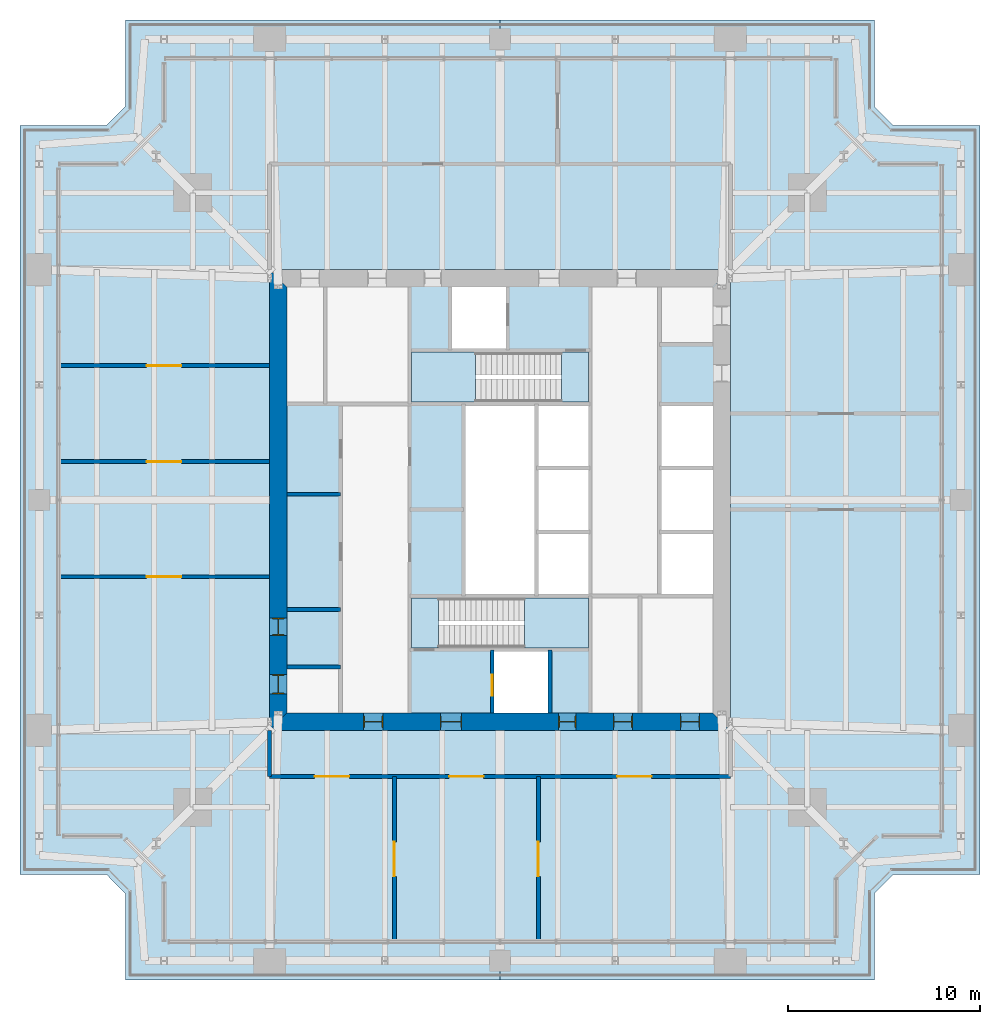
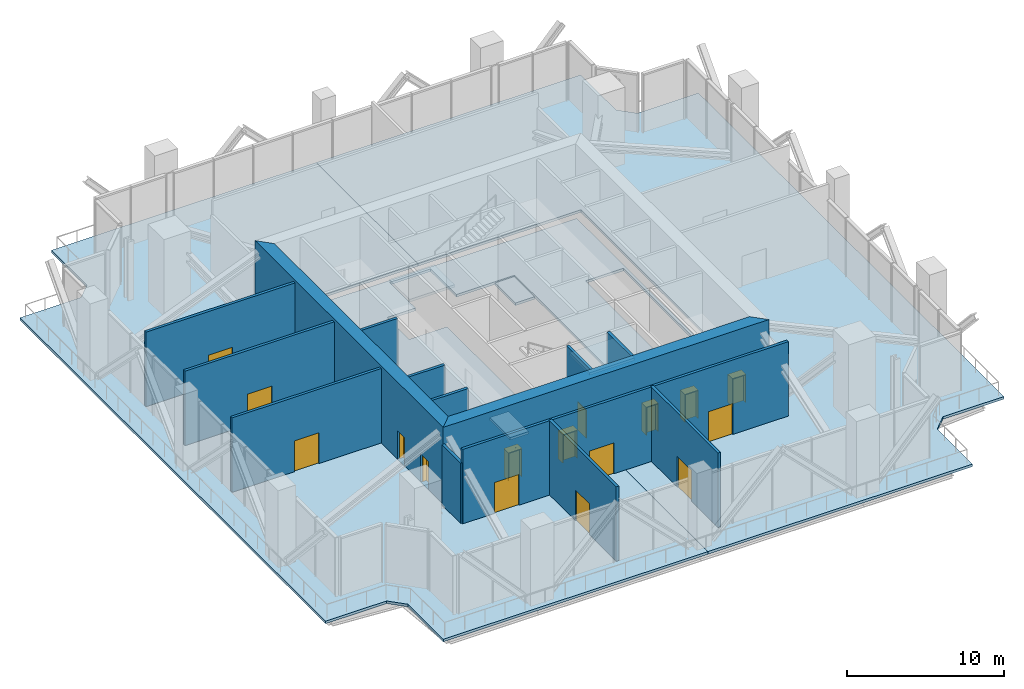
# One storey, part 9 of 14: 16 doors, 14 walls, 7 slabs, 16 openings, 2 elements without a shape of their own.
"""IFC4 building model written with IfcOpenShell, lengths in metres."""

from ifc_helpers import new_model, si_unit, direction, frame, frame_2d, origin, place, context, subcontext, project, spatial, polyline, rectangle, outline, extrude, material, layer, layer_set, type_object, element, fill, aggregate, save


model = new_model("IFC4")

# Units and contexts
model_context = context("Model", 3, precision=1e-05, world=origin(), true_north=direction((0.0, 1.0)))
body_context = subcontext(model_context, "Body", "Model", "MODEL_VIEW")
ifc_project = project(units=[si_unit("LENGTHUNIT", "METRE"), si_unit("AREAUNIT", "SQUARE_METRE"), si_unit("VOLUMEUNIT", "CUBIC_METRE"), si_unit("PLANEANGLEUNIT", "RADIAN"), si_unit("MASSUNIT", "GRAM", prefix="KILO")], contexts=[model_context])

# Site, building, storey
site_placement = place(None, origin())
site = spatial("IfcSite", under=ifc_project, at=site_placement, CompositionType="ELEMENT")
building_placement = place(site_placement, origin())
building = spatial("IfcBuilding", under=site, at=building_placement, Name="Fenwick Lantern Interchange", CompositionType="ELEMENT")
storey_placement = place(building_placement, frame((0.0, 0.0, 233.800048828125)))
storey = spatial("IfcBuildingStorey", under=building, at=storey_placement, Name="L55", CompositionType="ELEMENT", Elevation=233.800048828125)

# Slabs
ifc_material_1 = material(Name="Concrete f'c 35 MPa", Category="concrete")
ifc_layer_1 = layer(ifc_material_1, 0.199951171875)
ifc_layer_set_1 = layer_set([ifc_layer_1], Name="CORE FLOOR SLAB 200")
slab_type_1 = type_object("IfcSlabType", Name="CORE FLOOR SLAB 200", PredefinedType="FLOOR", material=ifc_layer_set_1)
slab_1_placement = place(storey_placement, frame((0.0, 0.0, -0.199951171875)))
element("IfcSlab", 1, at=slab_1_placement, inside=storey, type_object=slab_type_1, Name="L55/SLAB/CORE", PredefinedType="FLOOR", context=body_context, shape_type="SweptSolid", body=[
    extrude(outline(polyline([(13.699951171875, 36.300048828125), (36.300048828125, 36.300048828125), (36.300048828125, 13.699951171875), (13.699951171875, 13.699951171875), (13.699951171875, 36.300048828125)]), holes=[polyline([(24.60009765625, 13.89990234375), (27.60009765625, 13.89990234375), (27.60009765625, 17.199951171875), (29.699951171875, 17.199951171875), (29.699951171875, 20.0), (29.699951171875, 23.333251953125), (29.699951171875, 26.666748046875), (29.699951171875, 30.0), (29.699951171875, 32.800048828125), (25.39990234375, 32.800048828125), (25.39990234375, 36.10009765625), (22.39990234375, 36.10009765625), (22.39990234375, 32.800048828125), (20.300048828125, 32.800048828125), (20.300048828125, 30.0), (23.10009765625, 30.0), (23.10009765625, 20.0), (20.300048828125, 20.0), (20.300048828125, 17.199951171875), (24.60009765625, 17.199951171875), (24.60009765625, 13.89990234375)]), polyline([(33.300048828125, 23.333251953125), (33.300048828125, 20.0), (36.10009765625, 20.0), (36.10009765625, 23.333251953125), (36.10009765625, 26.666748046875), (36.10009765625, 30.0), (33.300048828125, 30.0), (33.300048828125, 26.666748046875), (33.300048828125, 23.333251953125)])]), origin(), (0.0, 0.0, 1.0), 0.199951171875),
])
ifc_material_2 = material(Name="Concrete f'c 35 MPa", Category="concrete")
ifc_layer_2 = layer(ifc_material_2, 0.199951171875)
ifc_layer_set_2 = layer_set([ifc_layer_2], Name="Concrete f'c 35 MPa")
slab_type_2 = type_object("IfcSlabType", Name="FLOOR SLAB 200", PredefinedType="FLOOR", material=ifc_layer_set_2)
slab_2_placement = place(storey_placement, frame((0.0, 0.0, -0.199951171875)))
element("IfcSlab", 2, at=slab_2_placement, inside=storey, type_object=slab_type_2, Name="L55/SLAB/FW", PredefinedType="FLOOR", context=body_context, shape_type="SweptSolid", body=[
    extrude(outline(polyline([(5.5, 0.0), (5.5, 4.5), (4.5, 5.5), (0.0, 5.5), (0.0, 44.5), (4.5, 44.5), (5.5, 45.5), (5.5, 50.0), (25.0, 50.0), (25.0, 37.0), (13.0, 37.0), (13.0, 13.0), (25.0, 13.0), (25.0, 0.0), (5.5, 0.0)])), origin(), (0.0, 0.0, 1.0), 0.199951171875),
])
slab_3_placement = place(storey_placement, frame((0.0, 0.0, -0.199951171875)))
element("IfcSlab", 3, at=slab_3_placement, inside=storey, type_object=slab_type_2, Name="L55/SLAB/FE", PredefinedType="FLOOR", context=body_context, shape_type="SweptSolid", body=[
    extrude(outline(polyline([(44.5, 50.0), (44.5, 45.5), (45.5, 44.5), (50.0, 44.5), (50.0, 5.5), (45.5, 5.5), (44.5, 4.5), (44.5, 0.0), (25.0, 0.0), (25.0, 13.0), (37.0, 13.0), (37.0, 37.0), (25.0, 37.0), (25.0, 50.0), (44.5, 50.0)])), origin(), (0.0, 0.0, 1.0), 0.199951171875),
])

# Stair, slabs
ifc_material_3 = material(Name="Precast concrete f'c 35 MPa", Category="concrete")
stair_type = type_object("IfcStairType", Name="EXIT STAIR 1200", PredefinedType="HALF_TURN_STAIR", material=ifc_material_3)
stair_1_placement = place(storey_placement, origin())
stair_1 = element("IfcStair", 4, at=stair_1_placement, inside=storey, type_object=stair_type, Name="Exit stair ST1", PredefinedType="HALF_TURN_STAIR")
ifc_layer_3 = layer(ifc_material_1, 0.199951171875)
ifc_layer_set_3 = layer_set([ifc_layer_3], Name="STAIR LANDING 200")
slab_type_3 = type_object("IfcSlabType", Name="STAIR LANDING 200", PredefinedType="LANDING", material=ifc_layer_set_3)
slab_4_placement = place(storey_placement, frame((0.0, 0.0, 2.800048828125)))
slab_4 = element("IfcSlab", 5, at=slab_4_placement, type_object=slab_type_3, Name="ST1 landing 1", PredefinedType="LANDING", context=body_context, shape_type="SweptSolid", body=[
    extrude(outline(polyline([(26.280029296875, 17.300048828125), (29.60009765625, 17.300048828125), (29.60009765625, 19.89990234375), (26.280029296875, 19.89990234375), (26.280029296875, 17.300048828125)])), origin(), (0.0, 0.0, 1.0), 0.199951171875),
])
slab_5_placement = place(storey_placement, frame((0.0, 0.0, -0.199951171875)))
slab_5 = element("IfcSlab", 6, at=slab_5_placement, type_object=slab_type_3, Name="ST1 landing 2", PredefinedType="LANDING", context=body_context, shape_type="SweptSolid", body=[
    extrude(outline(polyline([(20.39990234375, 17.300048828125), (21.800048828125, 17.300048828125), (21.800048828125, 19.89990234375), (20.39990234375, 19.89990234375), (20.39990234375, 17.300048828125)])), origin(), (0.0, 0.0, 1.0), 0.199951171875),
])
aggregate(stair_1, [slab_4, slab_5])

stair_2_placement = place(storey_placement, origin())
stair_2 = element("IfcStair", 7, at=stair_2_placement, inside=storey, type_object=stair_type, Name="Exit stair ST2", PredefinedType="HALF_TURN_STAIR")
slab_6_placement = place(storey_placement, frame((0.0, 0.0, 2.800048828125)))
slab_6 = element("IfcSlab", 8, at=slab_6_placement, type_object=slab_type_3, Name="ST2 landing 1", PredefinedType="LANDING", context=body_context, shape_type="SweptSolid", body=[
    extrude(outline(polyline([(23.719970703125, 32.699951171875), (20.39990234375, 32.699951171875), (20.39990234375, 30.10009765625), (23.719970703125, 30.10009765625), (23.719970703125, 32.699951171875)])), origin(), (0.0, 0.0, 1.0), 0.199951171875),
])
slab_7_placement = place(storey_placement, frame((0.0, 0.0, -0.199951171875)))
slab_7 = element("IfcSlab", 9, at=slab_7_placement, type_object=slab_type_3, Name="ST2 landing 2", PredefinedType="LANDING", context=body_context, shape_type="SweptSolid", body=[
    extrude(outline(polyline([(29.60009765625, 32.699951171875), (28.199951171875, 32.699951171875), (28.199951171875, 30.10009765625), (29.60009765625, 30.10009765625), (29.60009765625, 32.699951171875)])), origin(), (0.0, 0.0, 1.0), 0.199951171875),
])
aggregate(stair_2, [slab_6, slab_7])

# Wall, opening, door
ifc_material_4 = material(Name="Concrete masonry ASTM C90 Grade N", Category="masonry")
ifc_layer_4 = layer(ifc_material_4, 0.199951171875)
ifc_layer_set_4 = layer_set([ifc_layer_4], Name="Concrete masonry ASTM C90 Grade N")
wall_type_1 = type_object("IfcWallType", Name="CORE PARTITION 200", PredefinedType="PARTITIONING", material=ifc_layer_set_4)
wall_1_placement = place(storey_placement, frame((24.60009765625, 13.89990234375, 0.0), z_axis=(0.0, 0.0, 1.0), x_axis=(0.0, 1.0, 0.0)))
wall_1 = element("IfcWall", 10, at=wall_1_placement, inside=storey, type_object=wall_type_1, Name="L55/W/CORES/h1", PredefinedType="PARTITIONING", context=body_context, shape_type="SweptSolid", body=[
    extrude(rectangle(XDim=3.300048828125, YDim=0.199951171875, at=frame_2d((1.64990234375, 0.0))), origin(), (0.0, 0.0, 1.0), 5.800048828125),
])
opening_1_placement = place(wall_1_placement, frame((0.89990234375, 0.0, 0.0)))
opening_1 = element("IfcOpeningElement", 11, at=opening_1_placement, cuts=wall_1, Name="Opening LD-FL1", PredefinedType="OPENING", context=body_context, shape_type="SweptSolid", body=[
    extrude(rectangle(XDim=1.10009765625, YDim=2.199951171875, at=frame_2d((0.550048828125, 1.10009765625))), frame((0.0, 0.10986328125, 0.0), z_axis=(0.0, -1.0, 0.0), x_axis=(1.0, 0.0, 0.0)), (0.0, 0.0, 1.0), 0.219970703125),
])
ifc_material_5 = material(Name="Steel door and frame", Category="steel")
door_type_1 = type_object("IfcDoorType", Name="LIFT LANDING DOOR 1100 X 2200", OperationType="DOUBLE_DOOR_SLIDING", PredefinedType="DOOR", material=ifc_material_5)
door_1_placement = place(opening_1_placement, origin())
door_1 = element("IfcDoor", 12, at=door_1_placement, inside=storey, type_object=door_type_1, Name="Lift landing door FL1", OperationType="DOUBLE_DOOR_SLIDING", OverallHeight=2.199951171875, OverallWidth=1.10009765625, PredefinedType="DOOR", context=body_context, shape_type="SweptSolid", body=[
    extrude(rectangle(XDim=1.10009765625, YDim=2.199951171875, at=frame_2d((0.550048828125, 1.10009765625))), frame((0.0, 0.02490234375, 0.0), z_axis=(0.0, -1.0, 0.0), x_axis=(1.0, 0.0, 0.0)), (0.0, 0.0, 1.0), 0.050048828125),
])
fill(opening_1, door_1)

# Walls
wall_2_placement = place(storey_placement, frame((27.60009765625, 13.89990234375, 0.0), z_axis=(0.0, 0.0, 1.0), x_axis=(0.0, 1.0, 0.0)))
element("IfcWall", 13, at=wall_2_placement, inside=storey, type_object=wall_type_1, Name="L55/W/CORES/h2", PredefinedType="PARTITIONING", context=body_context, shape_type="SweptSolid", body=[
    extrude(rectangle(XDim=3.300048828125, YDim=0.199951171875, at=frame_2d((1.64990234375, 0.0))), origin(), (0.0, 0.0, 1.0), 5.800048828125),
])
for number, where, z_axis, x_axis, name in (
    (14, (13.89990234375, 16.300048828125, 0.0), (0.0, 0.0, 1.0), (1.0, 0.0, 0.0), "L55/W/CORES/p1"),
    (15, (13.89990234375, 19.300048828125, 0.0), (0.0, 0.0, 1.0), (1.0, 0.0, 0.0), "L55/W/CORES/p2"),
    (16, (13.89990234375, 25.300048828125, 0.0), (0.0, 0.0, 1.0), (1.0, 0.0, 0.0), "L55/W/CORES/p3"),
):
    element("IfcWall", number, at=place(storey_placement, frame(where, z_axis=z_axis, x_axis=x_axis)), inside=storey, type_object=wall_type_1, Name=name, PredefinedType="PARTITIONING", context=body_context, shape_type="SweptSolid", body=[
        extrude(rectangle(XDim=2.800048828125, YDim=0.199951171875, at=frame_2d((1.39990234375, 0.0))), origin(), (0.0, 0.0, 1.0), 5.800048828125),
    ])

# Wall, openings, doors
ifc_material_6 = material(Name="Concrete f'c 70 MPa", Category="concrete")
ifc_layer_5 = layer(ifc_material_6, 0.89990234375)
ifc_layer_set_5 = layer_set([ifc_layer_5], Name="CORE WALL 900")
wall_type_2 = type_object("IfcWallType", Name="CORE WALL 900", PredefinedType="SHEAR", material=ifc_layer_set_5)
wall_3_placement = place(storey_placement, frame((13.0, 13.449951171875, 0.0), z_axis=(0.0, 0.0, 1.0), x_axis=(1.0, 0.0, 0.0)))
wall_3 = element("IfcWall", 17, at=wall_3_placement, inside=storey, type_object=wall_type_2, Name="L55/CORE/S", PredefinedType="SHEAR", context=body_context, shape_type="SweptSolid", body=[
    extrude(outline(polyline([(0.0, -0.449951171875), (24.0, -0.449951171875), (23.10009765625, 0.449951171875), (0.89990234375, 0.449951171875), (0.0, -0.449951171875)])), origin(), (0.0, 0.0, 1.0), 6.0),
])
opening_2_placement = place(wall_3_placement, frame((4.89990234375, 0.0, 0.0)))
opening_2 = element("IfcOpeningElement", 18, at=opening_2_placement, cuts=wall_3, Name="Opening L55-D002", PredefinedType="OPENING", context=body_context, shape_type="SweptSolid", body=[
    extrude(rectangle(XDim=1.0, YDim=2.199951171875, at=frame_2d((0.5, 1.10009765625))), frame((0.0, 0.4599609375, 0.0), z_axis=(0.0, -1.0, 0.0), x_axis=(1.0, 0.0, 0.0)), (0.0, 0.0, 1.0), 0.919921875),
])
opening_3_placement = place(wall_3_placement, frame((8.89990234375, 0.0, 0.0)))
opening_3 = element("IfcOpeningElement", 19, at=opening_3_placement, cuts=wall_3, Name="Opening L55-D003", PredefinedType="OPENING", context=body_context, shape_type="SweptSolid", body=[
    extrude(rectangle(XDim=1.10009765625, YDim=2.199951171875, at=frame_2d((0.550048828125, 1.10009765625))), frame((0.0, 0.4599609375, 0.0), z_axis=(0.0, -1.0, 0.0), x_axis=(1.0, 0.0, 0.0)), (0.0, 0.0, 1.0), 0.919921875),
])
opening_4_placement = place(wall_3_placement, frame((15.050048828125, 0.0, 0.0)))
opening_4 = element("IfcOpeningElement", 20, at=opening_4_placement, cuts=wall_3, Name="Opening L55-D005", PredefinedType="OPENING", context=body_context, shape_type="SweptSolid", body=[
    extrude(rectangle(XDim=0.89990234375, YDim=2.199951171875, at=frame_2d((0.449951171875, 1.10009765625))), frame((0.0, 0.4599609375, 0.0), z_axis=(0.0, -1.0, 0.0), x_axis=(1.0, 0.0, 0.0)), (0.0, 0.0, 1.0), 0.919921875),
])
opening_5_placement = place(wall_3_placement, frame((17.89990234375, 0.0, 0.0)))
opening_5 = element("IfcOpeningElement", 21, at=opening_5_placement, cuts=wall_3, Name="Opening L55-D006", PredefinedType="OPENING", context=body_context, shape_type="SweptSolid", body=[
    extrude(rectangle(XDim=1.0, YDim=2.199951171875, at=frame_2d((0.5, 1.10009765625))), frame((0.0, 0.4599609375, 0.0), z_axis=(0.0, -1.0, 0.0), x_axis=(1.0, 0.0, 0.0)), (0.0, 0.0, 1.0), 0.919921875),
])
opening_6_placement = place(wall_3_placement, frame((21.39990234375, 0.0, 0.0)))
opening_6 = element("IfcOpeningElement", 22, at=opening_6_placement, cuts=wall_3, Name="Opening L55-D007", PredefinedType="OPENING", context=body_context, shape_type="SweptSolid", body=[
    extrude(rectangle(XDim=1.0, YDim=2.199951171875, at=frame_2d((0.5, 1.10009765625))), frame((0.0, 0.4599609375, 0.0), z_axis=(0.0, -1.0, 0.0), x_axis=(1.0, 0.0, 0.0)), (0.0, 0.0, 1.0), 0.919921875),
])
door_type_2 = type_object("IfcDoorType", Name="CORE LOBBY DOOR 1000 X 2200", OperationType="SINGLE_SWING_LEFT", PredefinedType="DOOR", material=ifc_material_5)
door_2_placement = place(opening_2_placement, origin())
door_2 = element("IfcDoor", 23, at=door_2_placement, inside=storey, type_object=door_type_2, Name="Core lobby door", OperationType="SINGLE_SWING_LEFT", OverallHeight=2.199951171875, OverallWidth=1.0, PredefinedType="DOOR", context=body_context, shape_type="SweptSolid", body=[
    extrude(rectangle(XDim=1.0, YDim=2.199951171875, at=frame_2d((0.5, 1.10009765625))), frame((0.0, 0.02490234375, 0.0), z_axis=(0.0, -1.0, 0.0), x_axis=(1.0, 0.0, 0.0)), (0.0, 0.0, 1.0), 0.050048828125),
    extrude(outline(polyline([(0.0, 0.0), (0.0400390625, 0.0), (0.0400390625, 2.159912109375), (0.9599609375, 2.159912109375), (0.9599609375, 0.0), (1.0, 0.0), (1.0, 2.199951171875), (0.0, 2.199951171875), (0.0, 0.0)])), frame((0.0, 0.300048828125, 0.0), z_axis=(0.0, -1.0, 0.0), x_axis=(1.0, 0.0, 0.0)), (0.0, 0.0, 1.0), 0.60009765625),
])
fill(opening_2, door_2)
door_type_3 = type_object("IfcDoorType", Name="FIRE LOBBY DOOR 1100 X 2200", OperationType="SINGLE_SWING_LEFT", PredefinedType="DOOR", material=ifc_material_5)
door_3_placement = place(opening_3_placement, origin())
door_3 = element("IfcDoor", 24, at=door_3_placement, inside=storey, type_object=door_type_3, Name="Fire lobby door", OperationType="SINGLE_SWING_LEFT", OverallHeight=2.199951171875, OverallWidth=1.10009765625, PredefinedType="DOOR", context=body_context, shape_type="SweptSolid", body=[
    extrude(rectangle(XDim=1.10009765625, YDim=2.199951171875, at=frame_2d((0.550048828125, 1.10009765625))), frame((0.0, 0.02490234375, 0.0), z_axis=(0.0, -1.0, 0.0), x_axis=(1.0, 0.0, 0.0)), (0.0, 0.0, 1.0), 0.050048828125),
    extrude(outline(polyline([(0.0, 0.0), (0.0400390625, 0.0), (0.0400390625, 2.159912109375), (1.06005859375, 2.159912109375), (1.06005859375, 0.0), (1.10009765625, 0.0), (1.10009765625, 2.199951171875), (0.0, 2.199951171875), (0.0, 0.0)])), frame((0.0, 0.300048828125, 0.0), z_axis=(0.0, -1.0, 0.0), x_axis=(1.0, 0.0, 0.0)), (0.0, 0.0, 1.0), 0.60009765625),
])
fill(opening_3, door_3)
door_type_4 = type_object("IfcDoorType", Name="SERVICE DOOR 900 X 2200", OperationType="SINGLE_SWING_LEFT", PredefinedType="DOOR", material=ifc_material_5)
door_4_placement = place(opening_4_placement, origin())
door_4 = element("IfcDoor", 25, at=door_4_placement, inside=storey, type_object=door_type_4, Name="Service door", OperationType="SINGLE_SWING_LEFT", OverallHeight=2.199951171875, OverallWidth=0.89990234375, PredefinedType="DOOR", context=body_context, shape_type="SweptSolid", body=[
    extrude(rectangle(XDim=0.89990234375, YDim=2.199951171875, at=frame_2d((0.449951171875, 1.10009765625))), frame((0.0, 0.02490234375, 0.0), z_axis=(0.0, -1.0, 0.0), x_axis=(1.0, 0.0, 0.0)), (0.0, 0.0, 1.0), 0.050048828125),
    extrude(outline(polyline([(0.0, 0.0), (0.0400390625, 0.0), (0.0400390625, 2.159912109375), (0.85986328125, 2.159912109375), (0.85986328125, 0.0), (0.89990234375, 0.0), (0.89990234375, 2.199951171875), (0.0, 2.199951171875), (0.0, 0.0)])), frame((0.0, 0.300048828125, 0.0), z_axis=(0.0, -1.0, 0.0), x_axis=(1.0, 0.0, 0.0)), (0.0, 0.0, 1.0), 0.60009765625),
])
fill(opening_4, door_4)
ifc_material_7 = material(Name="Hardwood door and steel frame", Category="steel")
door_type_5 = type_object("IfcDoorType", Name="WC DOOR 1000 X 2200", OperationType="SINGLE_SWING_LEFT", PredefinedType="DOOR", material=ifc_material_7)
door_5_placement = place(opening_5_placement, origin())
door_5 = element("IfcDoor", 26, at=door_5_placement, inside=storey, type_object=door_type_5, Name="Wc door", OperationType="SINGLE_SWING_RIGHT", OverallHeight=2.199951171875, OverallWidth=1.0, PredefinedType="DOOR", context=body_context, shape_type="SweptSolid", body=[
    extrude(rectangle(XDim=1.0, YDim=2.199951171875, at=frame_2d((0.5, 1.10009765625))), frame((0.0, 0.02490234375, 0.0), z_axis=(0.0, -1.0, 0.0), x_axis=(1.0, 0.0, 0.0)), (0.0, 0.0, 1.0), 0.050048828125),
    extrude(outline(polyline([(0.0, 0.0), (0.0400390625, 0.0), (0.0400390625, 2.159912109375), (0.9599609375, 2.159912109375), (0.9599609375, 0.0), (1.0, 0.0), (1.0, 2.199951171875), (0.0, 2.199951171875), (0.0, 0.0)])), frame((0.0, 0.300048828125, 0.0), z_axis=(0.0, -1.0, 0.0), x_axis=(1.0, 0.0, 0.0)), (0.0, 0.0, 1.0), 0.60009765625),
])
fill(opening_5, door_5)
door_6_placement = place(opening_6_placement, origin())
door_6 = element("IfcDoor", 27, at=door_6_placement, inside=storey, type_object=door_type_5, Name="Wc door", OperationType="SINGLE_SWING_RIGHT", OverallHeight=2.199951171875, OverallWidth=1.0, PredefinedType="DOOR", context=body_context, shape_type="SweptSolid", body=[
    extrude(rectangle(XDim=1.0, YDim=2.199951171875, at=frame_2d((0.5, 1.10009765625))), frame((0.0, 0.02490234375, 0.0), z_axis=(0.0, -1.0, 0.0), x_axis=(1.0, 0.0, 0.0)), (0.0, 0.0, 1.0), 0.050048828125),
    extrude(outline(polyline([(0.0, 0.0), (0.0400390625, 0.0), (0.0400390625, 2.159912109375), (0.9599609375, 2.159912109375), (0.9599609375, 0.0), (1.0, 0.0), (1.0, 2.199951171875), (0.0, 2.199951171875), (0.0, 0.0)])), frame((0.0, 0.300048828125, 0.0), z_axis=(0.0, -1.0, 0.0), x_axis=(1.0, 0.0, 0.0)), (0.0, 0.0, 1.0), 0.60009765625),
])
fill(opening_6, door_6)

wall_4_placement = place(storey_placement, frame((13.449951171875, 36.10009765625, 0.0), z_axis=(0.0, 0.0, 1.0), x_axis=(0.0, -1.0, 0.0)))
wall_4 = element("IfcWall", 28, at=wall_4_placement, inside=storey, type_object=wall_type_2, Name="L55/CORE/W", PredefinedType="SHEAR", context=body_context, shape_type="SweptSolid", body=[
    extrude(outline(polyline([(-0.89990234375, -0.449951171875), (23.10009765625, -0.449951171875), (22.199951171875, 0.449951171875), (0.0, 0.449951171875), (-0.89990234375, -0.449951171875)])), origin(), (0.0, 0.0, 1.0), 6.0),
])
opening_7_placement = place(wall_4_placement, frame((20.199951171875, 0.0, 0.0)))
opening_7 = element("IfcOpeningElement", 29, at=opening_7_placement, cuts=wall_4, Name="Opening L55-D008", PredefinedType="OPENING", context=body_context, shape_type="SweptSolid", body=[
    extrude(rectangle(XDim=1.0, YDim=2.199951171875, at=frame_2d((0.5, 1.10009765625))), frame((0.0, 0.4599609375, 0.0), z_axis=(0.0, -1.0, 0.0), x_axis=(1.0, 0.0, 0.0)), (0.0, 0.0, 1.0), 0.919921875),
])
opening_8_placement = place(wall_4_placement, frame((17.25, 0.0, 0.0)))
opening_8 = element("IfcOpeningElement", 30, at=opening_8_placement, cuts=wall_4, Name="Opening L55-D009", PredefinedType="OPENING", context=body_context, shape_type="SweptSolid", body=[
    extrude(rectangle(XDim=0.89990234375, YDim=2.199951171875, at=frame_2d((0.449951171875, 1.10009765625))), frame((0.0, 0.4599609375, 0.0), z_axis=(0.0, -1.0, 0.0), x_axis=(1.0, 0.0, 0.0)), (0.0, 0.0, 1.0), 0.919921875),
])
door_7_placement = place(opening_8_placement, origin())
door_7 = element("IfcDoor", 31, at=door_7_placement, inside=storey, type_object=door_type_4, Name="Service door", OperationType="SINGLE_SWING_LEFT", OverallHeight=2.199951171875, OverallWidth=0.89990234375, PredefinedType="DOOR", context=body_context, shape_type="SweptSolid", body=[
    extrude(rectangle(XDim=0.89990234375, YDim=2.199951171875, at=frame_2d((0.449951171875, 1.10009765625))), frame((0.0, 0.02490234375, 0.0), z_axis=(0.0, -1.0, 0.0), x_axis=(1.0, 0.0, 0.0)), (0.0, 0.0, 1.0), 0.050048828125),
    extrude(outline(polyline([(0.0, 0.0), (0.0400390625, 0.0), (0.0400390625, 2.159912109375), (0.85986328125, 2.159912109375), (0.85986328125, 0.0), (0.89990234375, 0.0), (0.89990234375, 2.199951171875), (0.0, 2.199951171875), (0.0, 0.0)])), frame((0.0, 0.300048828125, 0.0), z_axis=(0.0, -1.0, 0.0), x_axis=(1.0, 0.0, 0.0)), (0.0, 0.0, 1.0), 0.60009765625),
])
fill(opening_8, door_7)
door_8_placement = place(opening_7_placement, origin())
door_8 = element("IfcDoor", 32, at=door_8_placement, inside=storey, type_object=door_type_5, Name="Wc door", OperationType="SINGLE_SWING_LEFT", OverallHeight=2.199951171875, OverallWidth=1.0, PredefinedType="DOOR", context=body_context, shape_type="SweptSolid", body=[
    extrude(rectangle(XDim=1.0, YDim=2.199951171875, at=frame_2d((0.5, 1.10009765625))), frame((0.0, 0.02490234375, 0.0), z_axis=(0.0, -1.0, 0.0), x_axis=(1.0, 0.0, 0.0)), (0.0, 0.0, 1.0), 0.050048828125),
    extrude(outline(polyline([(0.0, 0.0), (0.0400390625, 0.0), (0.0400390625, 2.159912109375), (0.9599609375, 2.159912109375), (0.9599609375, 0.0), (1.0, 0.0), (1.0, 2.199951171875), (0.0, 2.199951171875), (0.0, 0.0)])), frame((0.0, 0.300048828125, 0.0), z_axis=(0.0, -1.0, 0.0), x_axis=(1.0, 0.0, 0.0)), (0.0, 0.0, 1.0), 0.60009765625),
])
fill(opening_7, door_8)

ifc_layer_6 = layer(ifc_material_4, 0.199951171875)
ifc_layer_set_6 = layer_set([ifc_layer_6], Name="Concrete masonry ASTM C90 Grade N")
wall_type_3 = type_object("IfcWallType", Name="PLANT ROOM WALL 200", PredefinedType="PARTITIONING", material=ifc_layer_set_6)
wall_5_placement = place(storey_placement, frame((13.0, 10.60009765625, 0.0), z_axis=(0.0, 0.0, 1.0), x_axis=(1.0, 0.0, 0.0)))
wall_5 = element("IfcWall", 33, at=wall_5_placement, inside=storey, type_object=wall_type_3, Name="L55/W/FLOOR/PCS-W", PredefinedType="PARTITIONING", context=body_context, shape_type="SweptSolid", body=[
    extrude(rectangle(XDim=24.0, YDim=0.199951171875, at=frame_2d((12.0, 0.0))), origin(), (0.0, 0.0, 1.0), 5.800048828125),
])
opening_9_placement = place(wall_5_placement, frame((2.35009765625, 0.0, 0.0)))
opening_9 = element("IfcOpeningElement", 34, at=opening_9_placement, cuts=wall_5, Name="Opening L55-D031", PredefinedType="OPENING", context=body_context, shape_type="SweptSolid", body=[
    extrude(rectangle(XDim=1.800048828125, YDim=2.39990234375, at=frame_2d((0.89990234375, 1.199951171875))), frame((0.0, 0.10986328125, 0.0), z_axis=(0.0, -1.0, 0.0), x_axis=(1.0, 0.0, 0.0)), (0.0, 0.0, 1.0), 0.219970703125),
])
opening_10_placement = place(wall_5_placement, frame((9.35009765625, 0.0, 0.0)))
opening_10 = element("IfcOpeningElement", 35, at=opening_10_placement, cuts=wall_5, Name="Opening L55-D032", PredefinedType="OPENING", context=body_context, shape_type="SweptSolid", body=[
    extrude(rectangle(XDim=1.800048828125, YDim=2.39990234375, at=frame_2d((0.89990234375, 1.199951171875))), frame((0.0, 0.10986328125, 0.0), z_axis=(0.0, -1.0, 0.0), x_axis=(1.0, 0.0, 0.0)), (0.0, 0.0, 1.0), 0.219970703125),
])
opening_11_placement = place(wall_5_placement, frame((18.10009765625, 0.0, 0.0)))
opening_11 = element("IfcOpeningElement", 36, at=opening_11_placement, cuts=wall_5, Name="Opening L55-D033", PredefinedType="OPENING", context=body_context, shape_type="SweptSolid", body=[
    extrude(rectangle(XDim=1.800048828125, YDim=2.39990234375, at=frame_2d((0.89990234375, 1.199951171875))), frame((0.0, 0.10986328125, 0.0), z_axis=(0.0, -1.0, 0.0), x_axis=(1.0, 0.0, 0.0)), (0.0, 0.0, 1.0), 0.219970703125),
])
door_type_6 = type_object("IfcDoorType", Name="ROOM DOOR PAIR 1800 X 2400", OperationType="DOUBLE_DOOR_SINGLE_SWING", PredefinedType="DOOR", material=ifc_material_5)
door_9_placement = place(opening_9_placement, origin())
door_9 = element("IfcDoor", 37, at=door_9_placement, inside=storey, type_object=door_type_6, Name="Room door pair", OperationType="DOUBLE_DOOR_SINGLE_SWING", OverallHeight=2.39990234375, OverallWidth=1.800048828125, PredefinedType="DOOR", context=body_context, shape_type="SweptSolid", body=[
    extrude(rectangle(XDim=1.800048828125, YDim=2.39990234375, at=frame_2d((0.89990234375, 1.199951171875))), frame((0.0, 0.02490234375, 0.0), z_axis=(0.0, -1.0, 0.0), x_axis=(1.0, 0.0, 0.0)), (0.0, 0.0, 1.0), 0.050048828125),
])
fill(opening_9, door_9)
door_10_placement = place(opening_10_placement, origin())
door_10 = element("IfcDoor", 38, at=door_10_placement, inside=storey, type_object=door_type_6, Name="Room door pair", OperationType="DOUBLE_DOOR_SINGLE_SWING", OverallHeight=2.39990234375, OverallWidth=1.800048828125, PredefinedType="DOOR", context=body_context, shape_type="SweptSolid", body=[
    extrude(rectangle(XDim=1.800048828125, YDim=2.39990234375, at=frame_2d((0.89990234375, 1.199951171875))), frame((0.0, 0.02490234375, 0.0), z_axis=(0.0, -1.0, 0.0), x_axis=(1.0, 0.0, 0.0)), (0.0, 0.0, 1.0), 0.050048828125),
])
fill(opening_10, door_10)
door_11_placement = place(opening_11_placement, origin())
door_11 = element("IfcDoor", 39, at=door_11_placement, inside=storey, type_object=door_type_6, Name="Room door pair", OperationType="DOUBLE_DOOR_SINGLE_SWING", OverallHeight=2.39990234375, OverallWidth=1.800048828125, PredefinedType="DOOR", context=body_context, shape_type="SweptSolid", body=[
    extrude(rectangle(XDim=1.800048828125, YDim=2.39990234375, at=frame_2d((0.89990234375, 1.199951171875))), frame((0.0, 0.02490234375, 0.0), z_axis=(0.0, -1.0, 0.0), x_axis=(1.0, 0.0, 0.0)), (0.0, 0.0, 1.0), 0.050048828125),
])
fill(opening_11, door_11)

# Wall
wall_6_placement = place(storey_placement, frame((13.0, 10.60009765625, 0.0), z_axis=(0.0, 0.0, 1.0), x_axis=(0.0, 1.0, 0.0)))
element("IfcWall", 40, at=wall_6_placement, inside=storey, type_object=wall_type_3, Name="L55/W/FLOOR/PCS-A", PredefinedType="PARTITIONING", context=body_context, shape_type="SweptSolid", body=[
    extrude(rectangle(XDim=2.39990234375, YDim=0.199951171875, at=frame_2d((1.199951171875, 0.0))), origin(), (0.0, 0.0, 1.0), 4.705322265625),
])

# Wall, opening, door
wall_7_placement = place(storey_placement, frame((19.5, 2.0, 0.0), z_axis=(0.0, 0.0, 1.0), x_axis=(0.0, 1.0, 0.0)))
wall_7 = element("IfcWall", 41, at=wall_7_placement, inside=storey, type_object=wall_type_3, Name="L55/W/FLOOR/PW1", PredefinedType="PARTITIONING", context=body_context, shape_type="SweptSolid", body=[
    extrude(rectangle(XDim=8.60009765625, YDim=0.199951171875, at=frame_2d((4.300048828125, 0.0))), origin(), (0.0, 0.0, 1.0), 5.800048828125),
])
opening_12_placement = place(wall_7_placement, frame((3.39990234375, 0.0, 0.0)))
opening_12 = element("IfcOpeningElement", 42, at=opening_12_placement, cuts=wall_7, Name="Opening L55-D023", PredefinedType="OPENING", context=body_context, shape_type="SweptSolid", body=[
    extrude(rectangle(XDim=1.800048828125, YDim=2.39990234375, at=frame_2d((0.89990234375, 1.199951171875))), frame((0.0, 0.10986328125, 0.0), z_axis=(0.0, -1.0, 0.0), x_axis=(1.0, 0.0, 0.0)), (0.0, 0.0, 1.0), 0.219970703125),
])
door_12_placement = place(opening_12_placement, frame((1.800048828125, 0.0, 0.0), z_axis=(0.0, 0.0, 1.0), x_axis=(-1.0, 0.0, 0.0)))
door_12 = element("IfcDoor", 43, at=door_12_placement, inside=storey, type_object=door_type_6, Name="Room door pair", OperationType="DOUBLE_DOOR_SINGLE_SWING", OverallHeight=2.39990234375, OverallWidth=1.800048828125, PredefinedType="DOOR", context=body_context, shape_type="SweptSolid", body=[
    extrude(rectangle(XDim=1.800048828125, YDim=2.39990234375, at=frame_2d((0.89990234375, 1.199951171875))), frame((0.0, 0.02490234375, 0.0), z_axis=(0.0, -1.0, 0.0), x_axis=(1.0, 0.0, 0.0)), (0.0, 0.0, 1.0), 0.050048828125),
])
fill(opening_12, door_12)

wall_8_placement = place(storey_placement, frame((27.0, 2.0, 0.0), z_axis=(0.0, 0.0, 1.0), x_axis=(0.0, 1.0, 0.0)))
wall_8 = element("IfcWall", 44, at=wall_8_placement, inside=storey, type_object=wall_type_3, Name="L55/W/FLOOR/PW2", PredefinedType="PARTITIONING", context=body_context, shape_type="SweptSolid", body=[
    extrude(rectangle(XDim=8.60009765625, YDim=0.199951171875, at=frame_2d((4.300048828125, 0.0))), origin(), (0.0, 0.0, 1.0), 5.800048828125),
])
opening_13_placement = place(wall_8_placement, frame((3.39990234375, 0.0, 0.0)))
opening_13 = element("IfcOpeningElement", 45, at=opening_13_placement, cuts=wall_8, Name="Opening L55-D024", PredefinedType="OPENING", context=body_context, shape_type="SweptSolid", body=[
    extrude(rectangle(XDim=1.800048828125, YDim=2.39990234375, at=frame_2d((0.89990234375, 1.199951171875))), frame((0.0, 0.10986328125, 0.0), z_axis=(0.0, -1.0, 0.0), x_axis=(1.0, 0.0, 0.0)), (0.0, 0.0, 1.0), 0.219970703125),
])
door_13_placement = place(opening_13_placement, origin())
door_13 = element("IfcDoor", 46, at=door_13_placement, inside=storey, type_object=door_type_6, Name="Room door pair", OperationType="DOUBLE_DOOR_SINGLE_SWING", OverallHeight=2.39990234375, OverallWidth=1.800048828125, PredefinedType="DOOR", context=body_context, shape_type="SweptSolid", body=[
    extrude(rectangle(XDim=1.800048828125, YDim=2.39990234375, at=frame_2d((0.89990234375, 1.199951171875))), frame((0.0, 0.02490234375, 0.0), z_axis=(0.0, -1.0, 0.0), x_axis=(1.0, 0.0, 0.0)), (0.0, 0.0, 1.0), 0.050048828125),
])
fill(opening_13, door_13)

wall_9_placement = place(storey_placement, frame((2.0, 21.0, 0.0), z_axis=(0.0, 0.0, 1.0), x_axis=(1.0, 0.0, 0.0)))
wall_9 = element("IfcWall", 47, at=wall_9_placement, inside=storey, type_object=wall_type_3, Name="L55/W/FLOOR/PW6", PredefinedType="PARTITIONING", context=body_context, shape_type="SweptSolid", body=[
    extrude(rectangle(XDim=11.0, YDim=0.199951171875, at=frame_2d((5.5, 0.0))), origin(), (0.0, 0.0, 1.0), 5.800048828125),
])
opening_14_placement = place(wall_9_placement, frame((4.60009765625, 0.0, 0.0)))
opening_14 = element("IfcOpeningElement", 48, at=opening_14_placement, cuts=wall_9, Name="Opening L55-D028", PredefinedType="OPENING", context=body_context, shape_type="SweptSolid", body=[
    extrude(rectangle(XDim=1.800048828125, YDim=2.39990234375, at=frame_2d((0.89990234375, 1.199951171875))), frame((0.0, 0.10986328125, 0.0), z_axis=(0.0, -1.0, 0.0), x_axis=(1.0, 0.0, 0.0)), (0.0, 0.0, 1.0), 0.219970703125),
])
door_14_placement = place(opening_14_placement, origin())
door_14 = element("IfcDoor", 49, at=door_14_placement, inside=storey, type_object=door_type_6, Name="Room door pair", OperationType="DOUBLE_DOOR_SINGLE_SWING", OverallHeight=2.39990234375, OverallWidth=1.800048828125, PredefinedType="DOOR", context=body_context, shape_type="SweptSolid", body=[
    extrude(rectangle(XDim=1.800048828125, YDim=2.39990234375, at=frame_2d((0.89990234375, 1.199951171875))), frame((0.0, 0.02490234375, 0.0), z_axis=(0.0, -1.0, 0.0), x_axis=(1.0, 0.0, 0.0)), (0.0, 0.0, 1.0), 0.050048828125),
])
fill(opening_14, door_14)

wall_10_placement = place(storey_placement, frame((2.0, 27.0, 0.0), z_axis=(0.0, 0.0, 1.0), x_axis=(1.0, 0.0, 0.0)))
wall_10 = element("IfcWall", 50, at=wall_10_placement, inside=storey, type_object=wall_type_3, Name="L55/W/FLOOR/PW7", PredefinedType="PARTITIONING", context=body_context, shape_type="SweptSolid", body=[
    extrude(rectangle(XDim=11.0, YDim=0.199951171875, at=frame_2d((5.5, 0.0))), origin(), (0.0, 0.0, 1.0), 5.800048828125),
])
opening_15_placement = place(wall_10_placement, frame((4.60009765625, 0.0, 0.0)))
opening_15 = element("IfcOpeningElement", 51, at=opening_15_placement, cuts=wall_10, Name="Opening L55-D029", PredefinedType="OPENING", context=body_context, shape_type="SweptSolid", body=[
    extrude(rectangle(XDim=1.800048828125, YDim=2.39990234375, at=frame_2d((0.89990234375, 1.199951171875))), frame((0.0, 0.10986328125, 0.0), z_axis=(0.0, -1.0, 0.0), x_axis=(1.0, 0.0, 0.0)), (0.0, 0.0, 1.0), 0.219970703125),
])
door_15_placement = place(opening_15_placement, origin())
door_15 = element("IfcDoor", 52, at=door_15_placement, inside=storey, type_object=door_type_6, Name="Room door pair", OperationType="DOUBLE_DOOR_SINGLE_SWING", OverallHeight=2.39990234375, OverallWidth=1.800048828125, PredefinedType="DOOR", context=body_context, shape_type="SweptSolid", body=[
    extrude(rectangle(XDim=1.800048828125, YDim=2.39990234375, at=frame_2d((0.89990234375, 1.199951171875))), frame((0.0, 0.02490234375, 0.0), z_axis=(0.0, -1.0, 0.0), x_axis=(1.0, 0.0, 0.0)), (0.0, 0.0, 1.0), 0.050048828125),
])
fill(opening_15, door_15)

wall_11_placement = place(storey_placement, frame((2.0, 32.0, 0.0), z_axis=(0.0, 0.0, 1.0), x_axis=(1.0, 0.0, 0.0)))
wall_11 = element("IfcWall", 53, at=wall_11_placement, inside=storey, type_object=wall_type_3, Name="L55/W/FLOOR/PW8", PredefinedType="PARTITIONING", context=body_context, shape_type="SweptSolid", body=[
    extrude(rectangle(XDim=11.0, YDim=0.199951171875, at=frame_2d((5.5, 0.0))), origin(), (0.0, 0.0, 1.0), 5.800048828125),
])
opening_16_placement = place(wall_11_placement, frame((4.60009765625, 0.0, 0.0)))
opening_16 = element("IfcOpeningElement", 54, at=opening_16_placement, cuts=wall_11, Name="Opening L55-D030", PredefinedType="OPENING", context=body_context, shape_type="SweptSolid", body=[
    extrude(rectangle(XDim=1.800048828125, YDim=2.39990234375, at=frame_2d((0.89990234375, 1.199951171875))), frame((0.0, 0.10986328125, 0.0), z_axis=(0.0, -1.0, 0.0), x_axis=(1.0, 0.0, 0.0)), (0.0, 0.0, 1.0), 0.219970703125),
])
door_16_placement = place(opening_16_placement, frame((1.800048828125, 0.0, 0.0), z_axis=(0.0, 0.0, 1.0), x_axis=(-1.0, 0.0, 0.0)))
door_16 = element("IfcDoor", 55, at=door_16_placement, inside=storey, type_object=door_type_6, Name="Room door pair", OperationType="DOUBLE_DOOR_SINGLE_SWING", OverallHeight=2.39990234375, OverallWidth=1.800048828125, PredefinedType="DOOR", context=body_context, shape_type="SweptSolid", body=[
    extrude(rectangle(XDim=1.800048828125, YDim=2.39990234375, at=frame_2d((0.89990234375, 1.199951171875))), frame((0.0, 0.02490234375, 0.0), z_axis=(0.0, -1.0, 0.0), x_axis=(1.0, 0.0, 0.0)), (0.0, 0.0, 1.0), 0.050048828125),
])
fill(opening_16, door_16)

save(model, "model.ifc")
